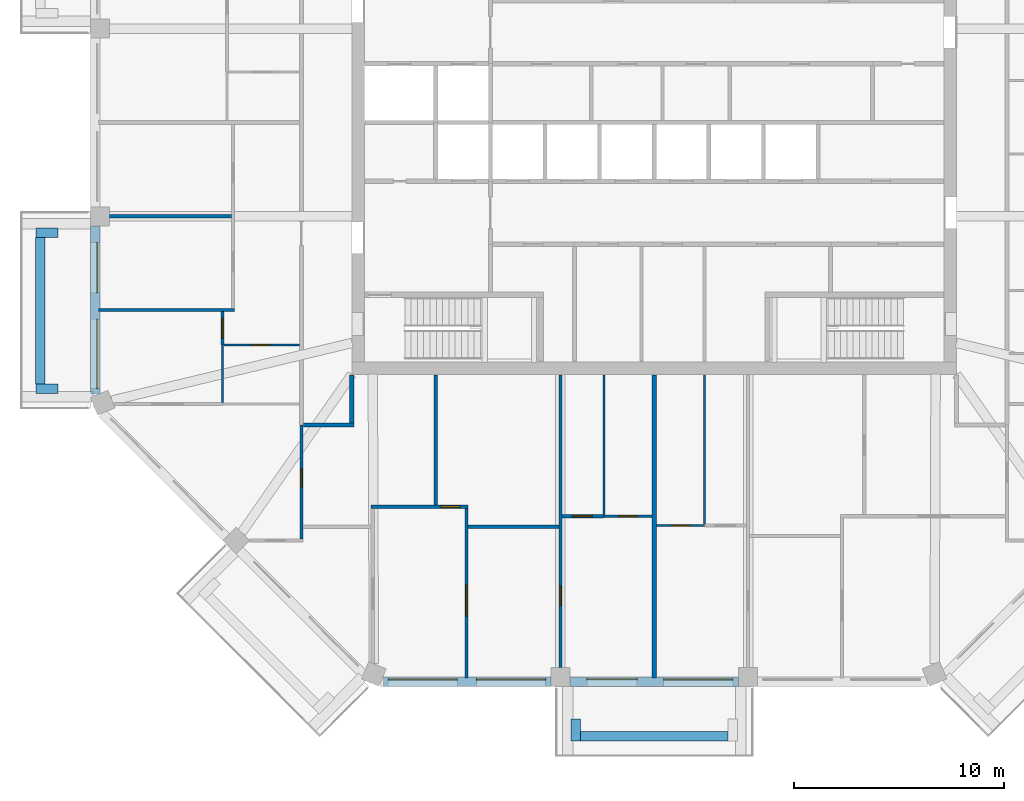
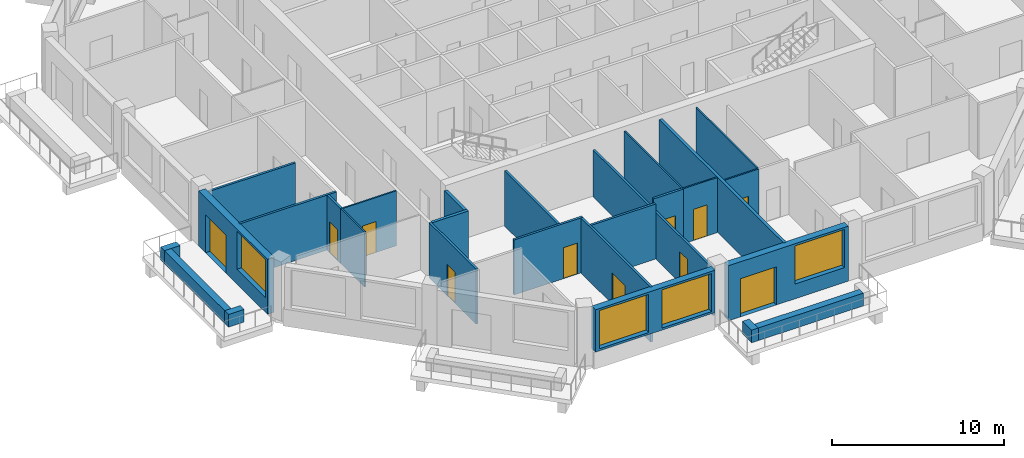
# One storey, part 3 of 12: 27 walls, 11 doors, 4 windows, 15 openings.
"""IFC4 building model written with IfcOpenShell, lengths in metres."""

from ifc_helpers import new_model, si_unit, direction, frame, frame_2d, origin, place, context, subcontext, project, spatial, rectangle, extrude, material, layer, layer_set, type_object, element, fill, save


model = new_model("IFC4")

# Units and contexts
model_context = context("Model", 3, precision=1e-05, world=origin(), true_north=direction((0.0, 1.0)))
body_context = subcontext(model_context, "Body", "Model", "MODEL_VIEW")
ifc_project = project(units=[si_unit("LENGTHUNIT", "METRE"), si_unit("AREAUNIT", "SQUARE_METRE"), si_unit("VOLUMEUNIT", "CUBIC_METRE"), si_unit("PLANEANGLEUNIT", "RADIAN"), si_unit("MASSUNIT", "GRAM", prefix="KILO")], contexts=[model_context])

# Site, building, storey
site_placement = place(None, origin())
site = spatial("IfcSite", under=ifc_project, at=site_placement, CompositionType="ELEMENT")
building_placement = place(site_placement, origin())
building = spatial("IfcBuilding", under=site, at=building_placement, Name="Msitu Wima Residences", CompositionType="ELEMENT")
storey_placement = place(building_placement, frame((0.0, 0.0, 310.5)))
storey = spatial("IfcBuildingStorey", under=building, at=storey_placement, Name="L72", CompositionType="ELEMENT", Elevation=310.5)

# Walls
ifc_material_1 = material(Name="Facing brick")
ifc_layer_1 = layer(ifc_material_1, 0.06494140625, Name="Facing brick")
ifc_material_2 = material(Name="Concrete C40/50", Category="concrete")
ifc_layer_2 = layer(ifc_material_2, 0.156005859375, Name="Concrete C40/50")
ifc_material_3 = material(Name="Waterproofing membrane")
ifc_layer_3 = layer(ifc_material_3, 0.00390625, Name="Waterproofing membrane")
ifc_material_4 = material(Name="Planting soil and planting")
ifc_layer_4 = layer(ifc_material_4, 0.22509765625, Name="Planting soil and planting")
ifc_layer_set_1 = layer_set([ifc_layer_1, ifc_layer_2, ifc_layer_3, ifc_layer_4], Name="Concrete C40/50")
wall_type_1 = type_object("IfcWallType", Name="Balcony planter PLANTER PL450", PredefinedType="USERDEFINED", material=ifc_layer_set_1)
wall_1_placement = place(storey_placement, frame((-29.22509765625, -5.468505859375, 0.0), z_axis=(0.0, 0.0, 1.0), x_axis=(0.0, -1.0, 0.0)))
element("IfcWall", 1, at=wall_1_placement, inside=storey, type_object=wall_type_1, Name="Balcony planter W2 L72", ObjectType="PLANTER", PredefinedType="USERDEFINED", context=body_context, shape_type="SweptSolid", body=[
    extrude(rectangle(XDim=6.9873046875, YDim=0.449951171875, at=frame_2d((3.49365234375, 0.0))), origin(), (0.0, 0.0, 1.0), 0.89990234375),
])
for number, where, z_axis, x_axis, name in (
    (2, (-28.39990234375, -5.24365234375, 0.0), (0.0, 0.0, 1.0), (-1.0, 0.0, 0.0), "Balcony planter W2 L72"),
    (3, (-28.39990234375, -12.680908203125, 0.0), (0.0, 0.0, 1.0), (-1.0, 0.0, 0.0), "Balcony planter W2 L72"),
):
    element("IfcWall", number, at=place(storey_placement, frame(where, z_axis=z_axis, x_axis=x_axis)), inside=storey, type_object=wall_type_1, Name=name, ObjectType="PLANTER", PredefinedType="USERDEFINED", context=body_context, shape_type="SweptSolid", body=[
        extrude(rectangle(XDim=1.050048828125, YDim=0.449951171875, at=frame_2d((0.52490234375, 0.0))), origin(), (0.0, 0.0, 1.0), 0.89990234375),
    ])
wall_2_placement = place(storey_placement, frame((-3.5185546875, -29.22509765625, 0.0), z_axis=(0.0, 0.0, 1.0), x_axis=(1.0, 0.0, 0.0)))
element("IfcWall", 4, at=wall_2_placement, inside=storey, type_object=wall_type_1, Name="Balcony planter S1 L72", ObjectType="PLANTER", PredefinedType="USERDEFINED", context=body_context, shape_type="SweptSolid", body=[
    extrude(rectangle(XDim=7.037109375, YDim=0.449951171875, at=frame_2d((3.5185546875, 0.0))), origin(), (0.0, 0.0, 1.0), 0.89990234375),
])
wall_3_placement = place(storey_placement, frame((-3.74365234375, -28.39990234375, 0.0), z_axis=(0.0, 0.0, 1.0), x_axis=(0.0, -1.0, 0.0)))
element("IfcWall", 5, at=wall_3_placement, inside=storey, type_object=wall_type_1, Name="Balcony planter S1 L72", ObjectType="PLANTER", PredefinedType="USERDEFINED", context=body_context, shape_type="SweptSolid", body=[
    extrude(rectangle(XDim=1.050048828125, YDim=0.449951171875, at=frame_2d((0.52490234375, 0.0))), origin(), (0.0, 0.0, 1.0), 0.89990234375),
])

# Wall, openings, door, window
ifc_material_5 = material(Name="Brick (red buff mix)", Category="masonry")
ifc_layer_5 = layer(ifc_material_5, 0.449951171875)
ifc_layer_set_2 = layer_set([ifc_layer_5], Name="Brick (red buff mix)")
wall_type_2 = type_object("IfcWallType", Name="Brick infill wall BW450", PredefinedType="SOLIDWALL", material=ifc_layer_set_2)
wall_4_placement = place(storey_placement, frame((-26.625, -4.918701171875, 0.0), z_axis=(0.0, 0.0, 1.0), x_axis=(0.0, -1.0, 0.0)))
wall_4 = element("IfcWall", 6, at=wall_4_placement, inside=storey, type_object=wall_type_2, Name="Brick infill wall L72 W2", PredefinedType="SOLIDWALL", context=body_context, shape_type="SweptSolid", body=[
    extrude(rectangle(XDim=8.0, YDim=0.449951171875, at=frame_2d((4.0, 0.0))), origin(), (0.0, 0.0, 1.0), 3.89990234375),
])
opening_1_placement = place(wall_4_placement, frame((0.800048828125, 0.0, 0.0)))
opening_1 = element("IfcOpeningElement", 7, at=opening_1_placement, cuts=wall_4, Name="Opening D72.010", PredefinedType="OPENING", context=body_context, shape_type="SweptSolid", body=[
    extrude(rectangle(XDim=2.39990234375, YDim=2.699951171875, at=frame_2d((1.199951171875, 1.35009765625))), frame((0.0, 0.23486328125, 0.0), z_axis=(0.0, -1.0, 0.0), x_axis=(1.0, 0.0, 0.0)), (0.0, 0.0, 1.0), 0.469970703125),
])
opening_2_placement = place(wall_4_placement, frame((4.4501953125, 0.0, 1.050048828125)))
opening_2 = element("IfcOpeningElement", 8, at=opening_2_placement, cuts=wall_4, Name="Opening W72.030", PredefinedType="OPENING", context=body_context, shape_type="SweptSolid", body=[
    extrude(rectangle(XDim=3.300048828125, YDim=2.699951171875, at=frame_2d((1.64990234375, 1.35009765625))), frame((0.0, 0.23486328125, 0.0), z_axis=(0.0, -1.0, 0.0), x_axis=(1.0, 0.0, 0.0)), (0.0, 0.0, 1.0), 0.469970703125),
])
ifc_material_6 = material(Name="Anodised aluminium, bronze finish, clear low-emissivity double glazing", Category="aluminium")
door_type_1 = type_object("IfcDoorType", Name="Balcony door D2400x2700", OperationType="SLIDING_TO_LEFT", PredefinedType="DOOR", material=ifc_material_6)
door_1_placement = place(opening_1_placement, origin())
door_1 = element("IfcDoor", 9, at=door_1_placement, inside=storey, type_object=door_type_1, Name="Balcony door L72 W2", OperationType="SINGLE_SWING_LEFT", OverallHeight=2.699951171875, OverallWidth=2.39990234375, PredefinedType="DOOR", context=body_context, shape_type="SweptSolid", body=[
    extrude(rectangle(XDim=2.39990234375, YDim=2.699951171875, at=frame_2d((1.199951171875, 1.35009765625))), frame((0.0, 0.1298828125, 0.0), z_axis=(0.0, -1.0, 0.0), x_axis=(1.0, 0.0, 0.0)), (0.0, 0.0, 1.0), 0.050048828125),
])
fill(opening_1, door_1)
window_type = type_object("IfcWindowType", Name="Window W3300x2700", PartitioningType="DOUBLE_PANEL_VERTICAL", PredefinedType="WINDOW", material=ifc_material_6)
window_1_placement = place(opening_2_placement, origin())
window_1 = element("IfcWindow", 10, at=window_1_placement, inside=storey, type_object=window_type, Name="Window L72 W2.2", OverallHeight=2.699951171875, OverallWidth=3.300048828125, PartitioningType="SINGLE_PANEL", PredefinedType="WINDOW", context=body_context, shape_type="SweptSolid", body=[
    extrude(rectangle(XDim=3.300048828125, YDim=2.699951171875, at=frame_2d((1.64990234375, 1.35009765625))), frame((0.0, 0.135009765625, 0.0), z_axis=(0.0, -1.0, 0.0), x_axis=(1.0, 0.0, 0.0)), (0.0, 0.0, 1.0), 0.06005859375),
])
fill(opening_2, window_1)

# Wall, openings, windows
wall_5_placement = place(storey_placement, frame((-12.918701171875, -26.625, 0.89990234375), z_axis=(0.0, 0.0, 1.0), x_axis=(1.0, 0.0, 0.0)))
wall_5 = element("IfcWall", 11, at=wall_5_placement, inside=storey, type_object=wall_type_2, Name="Brick infill wall L72 S0", PredefinedType="SOLIDWALL", context=body_context, shape_type="SweptSolid", body=[
    extrude(rectangle(XDim=8.0, YDim=0.449951171875, at=frame_2d((4.0, 0.0))), origin(), (0.0, 0.0, 1.0), 3.0),
])
opening_3_placement = place(wall_5_placement, frame((0.25, 0.0, 0.14990234375)))
opening_3 = element("IfcOpeningElement", 12, at=opening_3_placement, cuts=wall_5, Name="Opening W72.016", PredefinedType="OPENING", context=body_context, shape_type="SweptSolid", body=[
    extrude(rectangle(XDim=3.300048828125, YDim=2.699951171875, at=frame_2d((1.64990234375, 1.35009765625))), frame((0.0, 0.23486328125, 0.0), z_axis=(0.0, -1.0, 0.0), x_axis=(1.0, 0.0, 0.0)), (0.0, 0.0, 1.0), 0.469970703125),
])
opening_4_placement = place(wall_5_placement, frame((4.4501953125, 0.0, 0.14990234375)))
opening_4 = element("IfcOpeningElement", 13, at=opening_4_placement, cuts=wall_5, Name="Opening W72.017", PredefinedType="OPENING", context=body_context, shape_type="SweptSolid", body=[
    extrude(rectangle(XDim=3.300048828125, YDim=2.699951171875, at=frame_2d((1.64990234375, 1.35009765625))), frame((0.0, 0.23486328125, 0.0), z_axis=(0.0, -1.0, 0.0), x_axis=(1.0, 0.0, 0.0)), (0.0, 0.0, 1.0), 0.469970703125),
])
window_2_placement = place(opening_3_placement, origin())
window_2 = element("IfcWindow", 14, at=window_2_placement, inside=storey, type_object=window_type, Name="Window L72 S0.1", OverallHeight=2.699951171875, OverallWidth=3.300048828125, PartitioningType="SINGLE_PANEL", PredefinedType="WINDOW", context=body_context, shape_type="SweptSolid", body=[
    extrude(rectangle(XDim=3.300048828125, YDim=2.699951171875, at=frame_2d((1.64990234375, 1.35009765625))), frame((0.0, 0.135009765625, 0.0), z_axis=(0.0, -1.0, 0.0), x_axis=(1.0, 0.0, 0.0)), (0.0, 0.0, 1.0), 0.06005859375),
])
fill(opening_3, window_2)
window_3_placement = place(opening_4_placement, origin())
window_3 = element("IfcWindow", 15, at=window_3_placement, inside=storey, type_object=window_type, Name="Window L72 S0.2", OverallHeight=2.699951171875, OverallWidth=3.300048828125, PartitioningType="SINGLE_PANEL", PredefinedType="WINDOW", context=body_context, shape_type="SweptSolid", body=[
    extrude(rectangle(XDim=3.300048828125, YDim=2.699951171875, at=frame_2d((1.64990234375, 1.35009765625))), frame((0.0, 0.135009765625, 0.0), z_axis=(0.0, -1.0, 0.0), x_axis=(1.0, 0.0, 0.0)), (0.0, 0.0, 1.0), 0.06005859375),
])
fill(opening_4, window_3)

# Wall, openings, door, window
wall_6_placement = place(storey_placement, frame((-4.0185546875, -26.625, 0.0), z_axis=(0.0, 0.0, 1.0), x_axis=(1.0, 0.0, 0.0)))
wall_6 = element("IfcWall", 16, at=wall_6_placement, inside=storey, type_object=wall_type_2, Name="Brick infill wall L72 S1", PredefinedType="SOLIDWALL", context=body_context, shape_type="SweptSolid", body=[
    extrude(rectangle(XDim=8.037109375, YDim=0.449951171875, at=frame_2d((4.0185546875, 0.0))), origin(), (0.0, 0.0, 1.0), 3.89990234375),
])
opening_5_placement = place(wall_6_placement, frame((0.809326171875, 0.0, 0.0)))
opening_5 = element("IfcOpeningElement", 17, at=opening_5_placement, cuts=wall_6, Name="Opening D72.006", PredefinedType="OPENING", context=body_context, shape_type="SweptSolid", body=[
    extrude(rectangle(XDim=2.39990234375, YDim=2.699951171875, at=frame_2d((1.199951171875, 1.35009765625))), frame((0.0, 0.23486328125, 0.0), z_axis=(0.0, -1.0, 0.0), x_axis=(1.0, 0.0, 0.0)), (0.0, 0.0, 1.0), 0.469970703125),
])
opening_6_placement = place(wall_6_placement, frame((4.46875, 0.0, 1.050048828125)))
opening_6 = element("IfcOpeningElement", 18, at=opening_6_placement, cuts=wall_6, Name="Opening W72.018", PredefinedType="OPENING", context=body_context, shape_type="SweptSolid", body=[
    extrude(rectangle(XDim=3.300048828125, YDim=2.699951171875, at=frame_2d((1.64990234375, 1.35009765625))), frame((0.0, 0.23486328125, 0.0), z_axis=(0.0, -1.0, 0.0), x_axis=(1.0, 0.0, 0.0)), (0.0, 0.0, 1.0), 0.469970703125),
])
door_2_placement = place(opening_5_placement, origin())
door_2 = element("IfcDoor", 19, at=door_2_placement, inside=storey, type_object=door_type_1, Name="Balcony door L72 S1", OperationType="SINGLE_SWING_LEFT", OverallHeight=2.699951171875, OverallWidth=2.39990234375, PredefinedType="DOOR", context=body_context, shape_type="SweptSolid", body=[
    extrude(rectangle(XDim=2.39990234375, YDim=2.699951171875, at=frame_2d((1.199951171875, 1.35009765625))), frame((0.0, 0.1298828125, 0.0), z_axis=(0.0, -1.0, 0.0), x_axis=(1.0, 0.0, 0.0)), (0.0, 0.0, 1.0), 0.050048828125),
])
fill(opening_5, door_2)
window_4_placement = place(opening_6_placement, origin())
window_4 = element("IfcWindow", 20, at=window_4_placement, inside=storey, type_object=window_type, Name="Window L72 S1.2", OverallHeight=2.699951171875, OverallWidth=3.300048828125, PartitioningType="SINGLE_PANEL", PredefinedType="WINDOW", context=body_context, shape_type="SweptSolid", body=[
    extrude(rectangle(XDim=3.300048828125, YDim=2.699951171875, at=frame_2d((1.64990234375, 1.35009765625))), frame((0.0, 0.135009765625, 0.0), z_axis=(0.0, -1.0, 0.0), x_axis=(1.0, 0.0, 0.0)), (0.0, 0.0, 1.0), 0.06005859375),
])
fill(opening_6, window_4)

# Walls
ifc_material_7 = material(Name="Plaster")
ifc_layer_6 = layer(ifc_material_7, 0.011962890625, Name="Plaster")
ifc_material_8 = material(Name="Concrete blockwork", Category="masonry")
ifc_layer_7 = layer(ifc_material_8, 0.176025390625, Name="Concrete blockwork")
ifc_layer_8 = layer(ifc_material_7, 0.011962890625, Name="Plaster")
ifc_layer_set_3 = layer_set([ifc_layer_6, ifc_layer_7, ifc_layer_8], Name="Concrete blockwork")
wall_type_3 = type_object("IfcWallType", Name="Corridor wall FW200", PredefinedType="PARTITIONING", material=ifc_layer_set_3)
wall_7_placement = place(storey_placement, frame((-16.699951171875, -14.39990234375, 0.0), z_axis=(0.0, 0.0, 1.0), x_axis=(1.0, 0.0, 0.0)))
element("IfcWall", 21, at=wall_7_placement, inside=storey, type_object=wall_type_3, Name="Corridor wall", PredefinedType="PARTITIONING", context=body_context, shape_type="SweptSolid", body=[
    extrude(rectangle(XDim=2.39990234375, YDim=0.199951171875, at=frame_2d((1.199951171875, 0.0))), origin(), (0.0, 0.0, 1.0), 3.89990234375),
])
wall_8_placement = place(storey_placement, frame((-14.39990234375, -14.300048828125, 0.0), z_axis=(0.0, 0.0, 1.0), x_axis=(0.0, 1.0, 0.0)))
element("IfcWall", 22, at=wall_8_placement, inside=storey, type_object=wall_type_3, Name="Corridor wall", PredefinedType="PARTITIONING", context=body_context, shape_type="SweptSolid", body=[
    extrude(rectangle(XDim=2.27001953125, YDim=0.199951171875, at=frame_2d((1.135009765625, 0.0))), origin(), (0.0, 0.0, 1.0), 3.89990234375),
])
ifc_layer_9 = layer(ifc_material_7, 0.011962890625, Name="Plaster")
ifc_layer_10 = layer(ifc_material_8, 0.1259765625, Name="Concrete blockwork")
ifc_layer_11 = layer(ifc_material_7, 0.011962890625, Name="Plaster")
ifc_layer_set_4 = layer_set([ifc_layer_9, ifc_layer_10, ifc_layer_11], Name="Concrete blockwork")
wall_type_4 = type_object("IfcWallType", Name="Partition PW150", PredefinedType="PARTITIONING", material=ifc_layer_set_4)
wall_9_placement = place(storey_placement, frame((-26.455078125, -8.937255859375, 0.0), z_axis=(0.0, 0.0, 1.0), x_axis=(1.0, 0.0, 0.0)))
element("IfcWall", 23, at=wall_9_placement, inside=storey, type_object=wall_type_4, Name="Partition", PredefinedType="PARTITIONING", context=body_context, shape_type="SweptSolid", body=[
    extrude(rectangle(XDim=6.47998046875, YDim=0.14990234375, at=frame_2d((3.239990234375, 0.0))), origin(), (0.0, 0.0, 1.0), 3.89990234375),
])
wall_10_placement = place(storey_placement, frame((-25.949951171875, -4.46875, 0.0), z_axis=(0.0, 0.0, 1.0), x_axis=(1.0, 0.0, 0.0)))
element("IfcWall", 24, at=wall_10_placement, inside=storey, type_object=wall_type_4, Name="Partition", PredefinedType="PARTITIONING", context=body_context, shape_type="SweptSolid", body=[
    extrude(rectangle(XDim=5.824951171875, YDim=0.14990234375, at=frame_2d((2.91259765625, 0.0))), origin(), (0.0, 0.0, 1.0), 3.300048828125),
])

# Wall, opening, door
wall_11_placement = place(storey_placement, frame((-20.550048828125, -10.580078125, 0.0), z_axis=(0.0, 0.0, 1.0), x_axis=(0.0, 1.0, 0.0)))
wall_11 = element("IfcWall", 25, at=wall_11_placement, inside=storey, type_object=wall_type_4, Name="Partition", PredefinedType="PARTITIONING", context=body_context, shape_type="SweptSolid", body=[
    extrude(rectangle(XDim=1.56787109375, YDim=0.14990234375, at=frame_2d((0.783935546875, 0.0))), origin(), (0.0, 0.0, 1.0), 3.89990234375),
])
opening_7_placement = place(wall_11_placement, frame((0.300048828125, 0.0, 0.0)))
opening_7 = element("IfcOpeningElement", 26, at=opening_7_placement, cuts=wall_11, Name="Opening D72.058", PredefinedType="OPENING", context=body_context, shape_type="SweptSolid", body=[
    extrude(rectangle(XDim=0.949951171875, YDim=2.199951171875, at=frame_2d((0.47509765625, 1.10009765625))), frame((0.0, 0.0849609375, 0.0), z_axis=(0.0, -1.0, 0.0), x_axis=(1.0, 0.0, 0.0)), (0.0, 0.0, 1.0), 0.169921875),
])
ifc_material_9 = material(Name="Timber flush door", Category="wood")
door_type_2 = type_object("IfcDoorType", Name="Room door D12 950x2200", OperationType="SINGLE_SWING_LEFT", PredefinedType="DOOR", material=ifc_material_9)
door_3_placement = place(opening_7_placement, origin())
door_3 = element("IfcDoor", 27, at=door_3_placement, inside=storey, type_object=door_type_2, Name="Room door", OperationType="SINGLE_SWING_RIGHT", OverallHeight=2.199951171875, OverallWidth=0.949951171875, PredefinedType="DOOR", context=body_context, shape_type="SweptSolid", body=[
    extrude(rectangle(XDim=0.949951171875, YDim=2.199951171875, at=frame_2d((0.47509765625, 1.10009765625))), frame((0.0, 0.02490234375, 0.0), z_axis=(0.0, -1.0, 0.0), x_axis=(1.0, 0.0, 0.0)), (0.0, 0.0, 1.0), 0.050048828125),
])
fill(opening_7, door_3)

wall_12_placement = place(storey_placement, frame((-16.800048828125, -19.827880859375, 0.0), z_axis=(0.0, 0.0, 1.0), x_axis=(0.0, 1.0, 0.0)))
wall_12 = element("IfcWall", 28, at=wall_12_placement, inside=storey, type_object=wall_type_4, Name="Partition", PredefinedType="PARTITIONING", context=body_context, shape_type="SweptSolid", body=[
    extrude(rectangle(XDim=5.427978515625, YDim=0.14990234375, at=frame_2d((2.7138671875, 0.0))), origin(), (0.0, 0.0, 1.0), 3.89990234375),
])
opening_8_placement = place(wall_12_placement, frame((2.449951171875, 0.0, 0.0)))
opening_8 = element("IfcOpeningElement", 29, at=opening_8_placement, cuts=wall_12, Name="Opening D72.060", PredefinedType="OPENING", context=body_context, shape_type="SweptSolid", body=[
    extrude(rectangle(XDim=0.89990234375, YDim=2.199951171875, at=frame_2d((0.449951171875, 1.10009765625))), frame((0.0, 0.0849609375, 0.0), z_axis=(0.0, -1.0, 0.0), x_axis=(1.0, 0.0, 0.0)), (0.0, 0.0, 1.0), 0.169921875),
])
door_type_3 = type_object("IfcDoorType", Name="Service door D05 900x2200", OperationType="SINGLE_SWING_LEFT", PredefinedType="DOOR", material=ifc_material_9)
door_4_placement = place(opening_8_placement, origin())
door_4 = element("IfcDoor", 30, at=door_4_placement, inside=storey, type_object=door_type_3, Name="Service door", OperationType="SINGLE_SWING_RIGHT", OverallHeight=2.199951171875, OverallWidth=0.89990234375, PredefinedType="DOOR", context=body_context, shape_type="SweptSolid", body=[
    extrude(rectangle(XDim=0.89990234375, YDim=2.199951171875, at=frame_2d((0.449951171875, 1.10009765625))), frame((0.0, 0.02490234375, 0.0), z_axis=(0.0, -1.0, 0.0), x_axis=(1.0, 0.0, 0.0)), (0.0, 0.0, 1.0), 0.050048828125),
])
fill(opening_8, door_4)

wall_13_placement = place(storey_placement, frame((-13.48095703125, -18.300048828125, 0.0), z_axis=(0.0, 0.0, 1.0), x_axis=(1.0, 0.0, 0.0)))
wall_13 = element("IfcWall", 31, at=wall_13_placement, inside=storey, type_object=wall_type_4, Name="Partition", PredefinedType="PARTITIONING", context=body_context, shape_type="SweptSolid", body=[
    extrude(rectangle(XDim=4.61865234375, YDim=0.14990234375, at=frame_2d((2.309326171875, 0.0))), origin(), (0.0, 0.0, 1.0), 3.89990234375),
])
opening_9_placement = place(wall_13_placement, frame((3.300048828125, 0.0, 0.0)))
opening_9 = element("IfcOpeningElement", 32, at=opening_9_placement, cuts=wall_13, Name="Opening D72.063", PredefinedType="OPENING", context=body_context, shape_type="SweptSolid", body=[
    extrude(rectangle(XDim=0.949951171875, YDim=2.199951171875, at=frame_2d((0.47509765625, 1.10009765625))), frame((0.0, 0.0849609375, 0.0), z_axis=(0.0, -1.0, 0.0), x_axis=(1.0, 0.0, 0.0)), (0.0, 0.0, 1.0), 0.169921875),
])
door_5_placement = place(opening_9_placement, origin())
door_5 = element("IfcDoor", 33, at=door_5_placement, inside=storey, type_object=door_type_2, Name="Room door", OperationType="SINGLE_SWING_LEFT", OverallHeight=2.199951171875, OverallWidth=0.949951171875, PredefinedType="DOOR", context=body_context, shape_type="SweptSolid", body=[
    extrude(rectangle(XDim=0.949951171875, YDim=2.199951171875, at=frame_2d((0.47509765625, 1.10009765625))), frame((0.0, 0.02490234375, 0.0), z_axis=(0.0, -1.0, 0.0), x_axis=(1.0, 0.0, 0.0)), (0.0, 0.0, 1.0), 0.050048828125),
])
fill(opening_9, door_5)

# Wall
wall_14_placement = place(storey_placement, frame((-10.39990234375, -18.22509765625, 0.0), z_axis=(0.0, 0.0, 1.0), x_axis=(0.0, 1.0, 0.0)))
element("IfcWall", 34, at=wall_14_placement, inside=storey, type_object=wall_type_4, Name="Partition", PredefinedType="PARTITIONING", context=body_context, shape_type="SweptSolid", body=[
    extrude(rectangle(XDim=6.195068359375, YDim=0.14990234375, at=frame_2d((3.09765625, 0.0))), origin(), (0.0, 0.0, 1.0), 3.89990234375),
])

# Wall, opening, door
wall_15_placement = place(storey_placement, frame((-8.937255859375, -26.455078125, 0.0), z_axis=(0.0, 0.0, 1.0), x_axis=(0.0, 1.0, 0.0)))
wall_15 = element("IfcWall", 35, at=wall_15_placement, inside=storey, type_object=wall_type_4, Name="Partition", PredefinedType="PARTITIONING", context=body_context, shape_type="SweptSolid", body=[
    extrude(rectangle(XDim=8.080078125, YDim=0.14990234375, at=frame_2d((4.0400390625, 0.0))), origin(), (0.0, 0.0, 1.0), 3.89990234375),
])
opening_10_placement = place(wall_15_placement, frame((2.949951171875, 0.0, 0.0)))
opening_10 = element("IfcOpeningElement", 36, at=opening_10_placement, cuts=wall_15, Name="Opening D72.052", PredefinedType="OPENING", context=body_context, shape_type="SweptSolid", body=[
    extrude(rectangle(XDim=1.5, YDim=2.199951171875, at=frame_2d((0.75, 1.10009765625))), frame((0.0, 0.0849609375, 0.0), z_axis=(0.0, -1.0, 0.0), x_axis=(1.0, 0.0, 0.0)), (0.0, 0.0, 1.0), 0.169921875),
])
ifc_material_10 = material(Name="Timber double door", Category="wood")
door_type_4 = type_object("IfcDoorType", Name="Double door D04 1500x2200", OperationType="DOUBLE_DOOR_SINGLE_SWING", PredefinedType="DOOR", material=ifc_material_10)
door_6_placement = place(opening_10_placement, origin())
door_6 = element("IfcDoor", 37, at=door_6_placement, inside=storey, type_object=door_type_4, Name="Double door", OperationType="DOUBLE_DOOR_SINGLE_SWING", OverallHeight=2.199951171875, OverallWidth=1.5, PredefinedType="DOOR", context=body_context, shape_type="SweptSolid", body=[
    extrude(rectangle(XDim=1.5, YDim=2.199951171875, at=frame_2d((0.75, 1.10009765625))), frame((0.0, 0.02490234375, 0.0), z_axis=(0.0, -1.0, 0.0), x_axis=(1.0, 0.0, 0.0)), (0.0, 0.0, 1.0), 0.050048828125),
])
fill(opening_10, door_6)

# Wall
wall_16_placement = place(storey_placement, frame((-8.8623046875, -19.25, 0.0), z_axis=(0.0, 0.0, 1.0), x_axis=(1.0, 0.0, 0.0)))
element("IfcWall", 38, at=wall_16_placement, inside=storey, type_object=wall_type_4, Name="Partition", PredefinedType="PARTITIONING", context=body_context, shape_type="SweptSolid", body=[
    extrude(rectangle(XDim=4.318603515625, YDim=0.14990234375, at=frame_2d((2.1591796875, 0.0))), origin(), (0.0, 0.0, 1.0), 3.89990234375),
])

# Wall, opening, door
wall_17_placement = place(storey_placement, frame((-4.46875, -25.949951171875, 0.0), z_axis=(0.0, 0.0, 1.0), x_axis=(0.0, 1.0, 0.0)))
wall_17 = element("IfcWall", 39, at=wall_17_placement, inside=storey, type_object=wall_type_4, Name="Partition", PredefinedType="PARTITIONING", context=body_context, shape_type="SweptSolid", body=[
    extrude(rectangle(XDim=13.919921875, YDim=0.14990234375, at=frame_2d((6.9599609375, 0.0))), origin(), (0.0, 0.0, 1.0), 3.300048828125),
])
opening_11_placement = place(wall_17_placement, frame((2.949951171875, 0.0, 0.0)))
opening_11 = element("IfcOpeningElement", 40, at=opening_11_placement, cuts=wall_17, Name="Opening D72.053", PredefinedType="OPENING", context=body_context, shape_type="SweptSolid", body=[
    extrude(rectangle(XDim=0.949951171875, YDim=2.199951171875, at=frame_2d((0.47509765625, 1.10009765625))), frame((0.0, 0.0849609375, 0.0), z_axis=(0.0, -1.0, 0.0), x_axis=(1.0, 0.0, 0.0)), (0.0, 0.0, 1.0), 0.169921875),
])
door_7_placement = place(opening_11_placement, origin())
door_7 = element("IfcDoor", 41, at=door_7_placement, inside=storey, type_object=door_type_2, Name="Room door", OperationType="SINGLE_SWING_RIGHT", OverallHeight=2.199951171875, OverallWidth=0.949951171875, PredefinedType="DOOR", context=body_context, shape_type="SweptSolid", body=[
    extrude(rectangle(XDim=0.949951171875, YDim=2.199951171875, at=frame_2d((0.47509765625, 1.10009765625))), frame((0.0, 0.02490234375, 0.0), z_axis=(0.0, -1.0, 0.0), x_axis=(1.0, 0.0, 0.0)), (0.0, 0.0, 1.0), 0.050048828125),
])
fill(opening_11, door_7)

wall_18_placement = place(storey_placement, frame((-4.3935546875, -18.75, 0.0), z_axis=(0.0, 0.0, 1.0), x_axis=(1.0, 0.0, 0.0)))
wall_18 = element("IfcWall", 42, at=wall_18_placement, inside=storey, type_object=wall_type_4, Name="Partition", PredefinedType="PARTITIONING", context=body_context, shape_type="SweptSolid", body=[
    extrude(rectangle(XDim=1.99365234375, YDim=0.14990234375, at=frame_2d((0.996826171875, 0.0))), origin(), (0.0, 0.0, 1.0), 3.89990234375),
])
opening_12_placement = place(wall_18_placement, frame((0.5, 0.0, 0.0)))
opening_12 = element("IfcOpeningElement", 43, at=opening_12_placement, cuts=wall_18, Name="Opening D72.055", PredefinedType="OPENING", context=body_context, shape_type="SweptSolid", body=[
    extrude(rectangle(XDim=0.949951171875, YDim=2.199951171875, at=frame_2d((0.47509765625, 1.10009765625))), frame((0.0, 0.0849609375, 0.0), z_axis=(0.0, -1.0, 0.0), x_axis=(1.0, 0.0, 0.0)), (0.0, 0.0, 1.0), 0.169921875),
])
door_8_placement = place(opening_12_placement, origin())
door_8 = element("IfcDoor", 44, at=door_8_placement, inside=storey, type_object=door_type_2, Name="Room door", OperationType="SINGLE_SWING_RIGHT", OverallHeight=2.199951171875, OverallWidth=0.949951171875, PredefinedType="DOOR", context=body_context, shape_type="SweptSolid", body=[
    extrude(rectangle(XDim=0.949951171875, YDim=2.199951171875, at=frame_2d((0.47509765625, 1.10009765625))), frame((0.0, 0.02490234375, 0.0), z_axis=(0.0, -1.0, 0.0), x_axis=(1.0, 0.0, 0.0)), (0.0, 0.0, 1.0), 0.050048828125),
])
fill(opening_12, door_8)

# Walls
ifc_layer_12 = layer(ifc_material_7, 0.011962890625, Name="Plaster")
ifc_material_11 = material(Name="Dense concrete blockwork", Category="masonry")
ifc_layer_13 = layer(ifc_material_11, 0.176025390625, Name="Dense concrete blockwork")
ifc_layer_14 = layer(ifc_material_7, 0.011962890625, Name="Plaster")
ifc_layer_set_5 = layer_set([ifc_layer_12, ifc_layer_13, ifc_layer_14], Name="Dense concrete blockwork")
wall_type_5 = type_object("IfcWallType", Name="Party wall PW200", PredefinedType="PARTITIONING", material=ifc_layer_set_5)
wall_19_placement = place(storey_placement, frame((0.0, -26.455078125, 0.0), z_axis=(0.0, 0.0, 1.0), x_axis=(0.0, 1.0, 0.0)))
element("IfcWall", 45, at=wall_19_placement, inside=storey, type_object=wall_type_5, Name="Party wall", PredefinedType="PARTITIONING", context=body_context, shape_type="SweptSolid", body=[
    extrude(rectangle(XDim=14.425048828125, YDim=0.199951171875, at=frame_2d((7.21240234375, 0.0))), origin(), (0.0, 0.0, 1.0), 3.89990234375),
])
ifc_material_12 = material(Name="Ceramic tiles")
ifc_layer_15 = layer(ifc_material_12, 0.008056640625, Name="Ceramic tiles")
ifc_material_13 = material(Name="Moisture-resistant board")
ifc_layer_16 = layer(ifc_material_13, 0.012451171875, Name="Moisture-resistant board")
ifc_material_14 = material(Name="Light-gauge stud framing with mineral wool")
ifc_layer_17 = layer(ifc_material_14, 0.06689453125, Name="Light-gauge stud framing with mineral wool")
ifc_layer_18 = layer(ifc_material_13, 0.012451171875, Name="Moisture-resistant board")
ifc_layer_set_6 = layer_set([ifc_layer_15, ifc_layer_16, ifc_layer_17, ifc_layer_18], Name="Light-gauge stud framing with mineral wool")
wall_type_6 = type_object("IfcWallType", Name="Wet wall PW100", PredefinedType="PARTITIONING", material=ifc_layer_set_6)
wall_20_placement = place(storey_placement, frame((-20.550048828125, -13.330810546875, 0.0), z_axis=(0.0, 0.0, 1.0), x_axis=(0.0, 1.0, 0.0)))
element("IfcWall", 46, at=wall_20_placement, inside=storey, type_object=wall_type_6, Name="Wet wall", PredefinedType="PARTITIONING", context=body_context, shape_type="SweptSolid", body=[
    extrude(rectangle(XDim=2.750732421875, YDim=0.10009765625, at=frame_2d((1.37548828125, 0.0))), origin(), (0.0, 0.0, 1.0), 3.89990234375),
])

# Wall, opening, door
wall_21_placement = place(storey_placement, frame((-20.47509765625, -10.60009765625, 0.0), z_axis=(0.0, 0.0, 1.0), x_axis=(1.0, 0.0, 0.0)))
wall_21 = element("IfcWall", 47, at=wall_21_placement, inside=storey, type_object=wall_type_6, Name="Wet wall", PredefinedType="PARTITIONING", context=body_context, shape_type="SweptSolid", body=[
    extrude(rectangle(XDim=3.5751953125, YDim=0.10009765625, at=frame_2d((1.78759765625, 0.0))), origin(), (0.0, 0.0, 1.0), 3.89990234375),
])
opening_13_placement = place(wall_21_placement, frame((1.300048828125, 0.0, 0.0)))
opening_13 = element("IfcOpeningElement", 48, at=opening_13_placement, cuts=wall_21, Name="Opening D72.051", PredefinedType="OPENING", context=body_context, shape_type="SweptSolid", body=[
    extrude(rectangle(XDim=0.89990234375, YDim=2.199951171875, at=frame_2d((0.449951171875, 1.10009765625))), frame((0.0, 0.06005859375, 0.0), z_axis=(0.0, -1.0, 0.0), x_axis=(1.0, 0.0, 0.0)), (0.0, 0.0, 1.0), 0.1201171875),
])
ifc_material_15 = material(Name="Timber flush door, moisture resistant", Category="wood")
door_type_5 = type_object("IfcDoorType", Name="Bathroom door D03 900x2200", OperationType="SINGLE_SWING_LEFT", PredefinedType="DOOR", material=ifc_material_15)
door_9_placement = place(opening_13_placement, origin())
door_9 = element("IfcDoor", 49, at=door_9_placement, inside=storey, type_object=door_type_5, Name="Bathroom door", OperationType="SINGLE_SWING_RIGHT", OverallHeight=2.199951171875, OverallWidth=0.89990234375, PredefinedType="DOOR", context=body_context, shape_type="SweptSolid", body=[
    extrude(rectangle(XDim=0.89990234375, YDim=2.199951171875, at=frame_2d((0.449951171875, 1.10009765625))), frame((0.0, 0.02490234375, 0.0), z_axis=(0.0, -1.0, 0.0), x_axis=(1.0, 0.0, 0.0)), (0.0, 0.0, 1.0), 0.050048828125),
])
fill(opening_13, door_9)

# Wall
wall_22_placement = place(storey_placement, frame((-2.39990234375, -18.675048828125, 0.0), z_axis=(0.0, 0.0, 1.0), x_axis=(0.0, 1.0, 0.0)))
element("IfcWall", 50, at=wall_22_placement, inside=storey, type_object=wall_type_6, Name="Wet wall", PredefinedType="PARTITIONING", context=body_context, shape_type="SweptSolid", body=[
    extrude(rectangle(XDim=6.64501953125, YDim=0.10009765625, at=frame_2d((3.322509765625, 0.0))), origin(), (0.0, 0.0, 1.0), 3.89990234375),
])

# Wall, opening, door
wall_23_placement = place(storey_placement, frame((-2.39990234375, -18.75, 0.0), z_axis=(0.0, 0.0, 1.0), x_axis=(1.0, 0.0, 0.0)))
wall_23 = element("IfcWall", 51, at=wall_23_placement, inside=storey, type_object=wall_type_6, Name="Wet wall", PredefinedType="PARTITIONING", context=body_context, shape_type="SweptSolid", body=[
    extrude(rectangle(XDim=2.2998046875, YDim=0.10009765625, at=frame_2d((1.14990234375, 0.0))), origin(), (0.0, 0.0, 1.0), 3.89990234375),
])
opening_14_placement = place(wall_23_placement, frame((0.699951171875, 0.0, 0.0)))
opening_14 = element("IfcOpeningElement", 52, at=opening_14_placement, cuts=wall_23, Name="Opening D72.054", PredefinedType="OPENING", context=body_context, shape_type="SweptSolid", body=[
    extrude(rectangle(XDim=0.89990234375, YDim=2.199951171875, at=frame_2d((0.449951171875, 1.10009765625))), frame((0.0, 0.06005859375, 0.0), z_axis=(0.0, -1.0, 0.0), x_axis=(1.0, 0.0, 0.0)), (0.0, 0.0, 1.0), 0.1201171875),
])
door_10_placement = place(opening_14_placement, origin())
door_10 = element("IfcDoor", 53, at=door_10_placement, inside=storey, type_object=door_type_5, Name="Bathroom door", OperationType="SINGLE_SWING_LEFT", OverallHeight=2.199951171875, OverallWidth=0.89990234375, PredefinedType="DOOR", context=body_context, shape_type="SweptSolid", body=[
    extrude(rectangle(XDim=0.89990234375, YDim=2.199951171875, at=frame_2d((0.449951171875, 1.10009765625))), frame((0.0, 0.02490234375, 0.0), z_axis=(0.0, -1.0, 0.0), x_axis=(1.0, 0.0, 0.0)), (0.0, 0.0, 1.0), 0.050048828125),
])
fill(opening_14, door_10)

wall_24_placement = place(storey_placement, frame((0.10009765625, -19.199951171875, 0.0), z_axis=(0.0, 0.0, 1.0), x_axis=(1.0, 0.0, 0.0)))
wall_24 = element("IfcWall", 54, at=wall_24_placement, inside=storey, type_object=wall_type_6, Name="Wet wall", PredefinedType="PARTITIONING", context=body_context, shape_type="SweptSolid", body=[
    extrude(rectangle(XDim=2.2998046875, YDim=0.10009765625, at=frame_2d((1.14990234375, 0.0))), origin(), (0.0, 0.0, 1.0), 3.89990234375),
])
opening_15_placement = place(wall_24_placement, frame((0.699951171875, 0.0, 0.0)))
opening_15 = element("IfcOpeningElement", 55, at=opening_15_placement, cuts=wall_24, Name="Opening D72.025", PredefinedType="OPENING", context=body_context, shape_type="SweptSolid", body=[
    extrude(rectangle(XDim=0.89990234375, YDim=2.199951171875, at=frame_2d((0.449951171875, 1.10009765625))), frame((0.0, 0.06005859375, 0.0), z_axis=(0.0, -1.0, 0.0), x_axis=(1.0, 0.0, 0.0)), (0.0, 0.0, 1.0), 0.1201171875),
])
door_11_placement = place(opening_15_placement, origin())
door_11 = element("IfcDoor", 56, at=door_11_placement, inside=storey, type_object=door_type_5, Name="Bathroom door", OperationType="SINGLE_SWING_RIGHT", OverallHeight=2.199951171875, OverallWidth=0.89990234375, PredefinedType="DOOR", context=body_context, shape_type="SweptSolid", body=[
    extrude(rectangle(XDim=0.89990234375, YDim=2.199951171875, at=frame_2d((0.449951171875, 1.10009765625))), frame((0.0, 0.02490234375, 0.0), z_axis=(0.0, -1.0, 0.0), x_axis=(1.0, 0.0, 0.0)), (0.0, 0.0, 1.0), 0.050048828125),
])
fill(opening_15, door_11)

# Wall
wall_25_placement = place(storey_placement, frame((2.39990234375, -19.125, 0.0), z_axis=(0.0, 0.0, 1.0), x_axis=(0.0, 1.0, 0.0)))
element("IfcWall", 57, at=wall_25_placement, inside=storey, type_object=wall_type_6, Name="Wet wall", PredefinedType="PARTITIONING", context=body_context, shape_type="SweptSolid", body=[
    extrude(rectangle(XDim=7.094970703125, YDim=0.10009765625, at=frame_2d((3.54736328125, 0.0))), origin(), (0.0, 0.0, 1.0), 3.89990234375),
])

save(model, "model.ifc")
